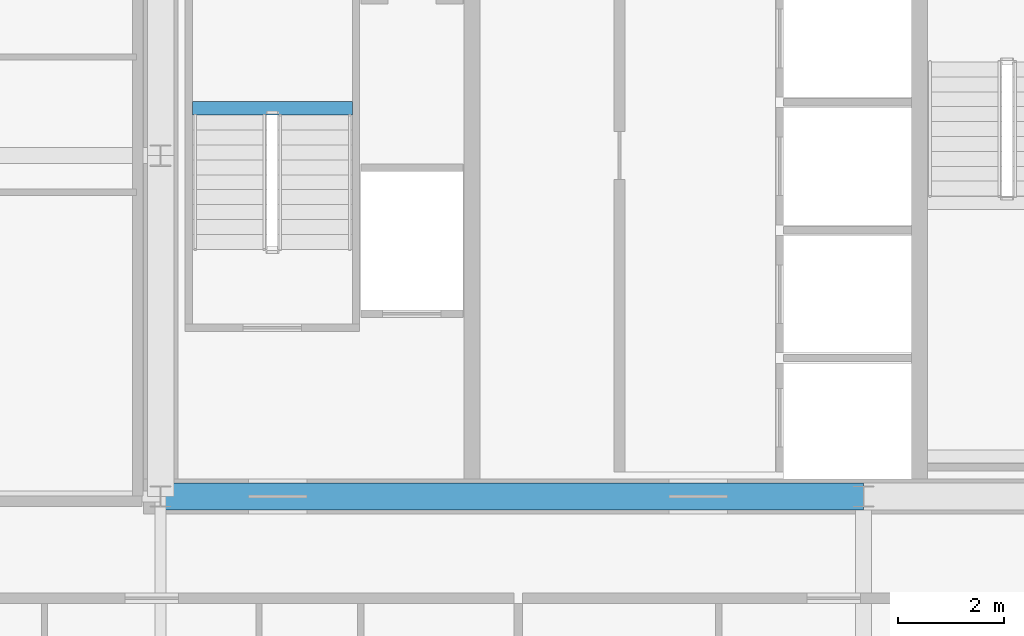
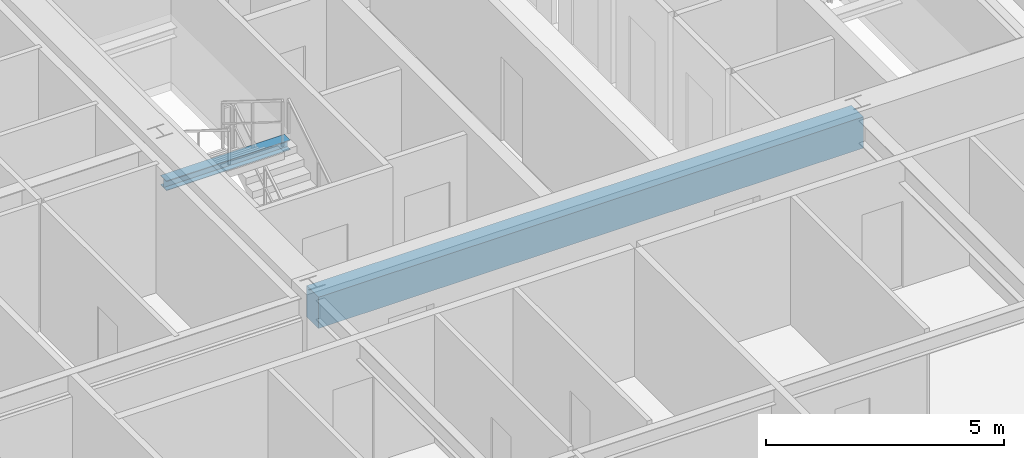
# One storey, part 13 of 38: 2 beams.
"""IFC4 building model written with IfcOpenShell, lengths in metres."""

from ifc_helpers import new_model, si_unit, direction, frame, origin, origin_2d, place, context, subcontext, project, spatial, rectangle, i_section, extrude, source, transform, mapped, material, material_profile, profile_set, type_object, element, save


model = new_model("IFC4")

# Units and contexts
model_context = context("Model", 3, precision=1e-05, world=origin(), true_north=direction((0.0, 1.0)))
body_context = subcontext(model_context, "Body", "Model", "MODEL_VIEW")
ifc_project = project(units=[si_unit("LENGTHUNIT", "METRE"), si_unit("AREAUNIT", "SQUARE_METRE"), si_unit("VOLUMEUNIT", "CUBIC_METRE"), si_unit("PLANEANGLEUNIT", "RADIAN"), si_unit("MASSUNIT", "GRAM", prefix="KILO"), si_unit("THERMODYNAMICTEMPERATUREUNIT", "KELVIN"), si_unit("POWERUNIT", "WATT")], contexts=[model_context])

# Site, building, storey
site_placement = place(None, origin())
site = spatial("IfcSite", under=ifc_project, at=site_placement, CompositionType="ELEMENT")
building_placement = place(site_placement, origin())
building = spatial("IfcBuilding", under=site, at=building_placement, Name="Yuzanri Waterfront Tower", CompositionType="ELEMENT")
storey_placement = place(building_placement, frame((0.0, 0.0, 209.0)))
storey = spatial("IfcBuildingStorey", under=building, at=storey_placement, Name="L55", CompositionType="ELEMENT", Elevation=209.0)

# Beams
ifc_material_1 = material(Name="Concrete C50", Category="concrete")
ifc_material_profile_1 = material_profile(ifc_material_1, rectangle(XDim=0.5, YDim=0.800048828125, at=origin_2d()), Name="RC 500x800")
ifc_profile_set_1 = profile_set([ifc_material_profile_1], Name="Concrete C50")
beam_type_1 = type_object("IfcBeamType", Name="Core Coupling Lintel Concrete C50 500x800", PredefinedType="LINTEL", material=ifc_profile_set_1)
shared_shape_1 = source(origin(), body_context, "Body", "SweptSolid", [
    extrude(rectangle(XDim=0.5, YDim=0.800048828125, at=origin_2d()), origin(), (0.0, 0.0, 1.0), 13.199951171875),
])
beam_1_placement = place(storey_placement, frame((23.800048828125, 19.39990234375, 2.8798828125), z_axis=(1.0, 0.0, 0.0), x_axis=(0.0, 1.0, 0.0)))
element("IfcBeam", 1, at=beam_1_placement, inside=storey, type_object=beam_type_1, Name="L55 Core Tie Beam CS1", PredefinedType="LINTEL", context=body_context, shape_type="MappedRepresentation", body=[
    mapped(shared_shape_1, transform((0.0, 0.0, 0.0), scale=1.0)),
])
ifc_material_2 = material(Name="Steel Q355B", Category="steel")
ifc_material_profile_2 = material_profile(ifc_material_2, i_section(OverallWidth=0.25, OverallDepth=0.25, WebThickness=0.009033203125, FlangeThickness=0.013916015625, at=origin_2d()), Name="HW 250x250x9x14")
ifc_profile_set_2 = profile_set([ifc_material_profile_2], Name="Steel Q355B")
beam_type_2 = type_object("IfcBeamType", Name="Stair Landing Support Beam Q355B HW 250x250", PredefinedType="BEAM", material=ifc_profile_set_2)
shared_shape_2 = source(origin(), body_context, "Body", "SweptSolid", [
    extrude(i_section(OverallWidth=0.25, OverallDepth=0.25, WebThickness=0.009033203125, FlangeThickness=0.013916015625, at=origin_2d()), origin(), (0.0, 0.0, 1.0), 3.0),
])
beam_2_placement = place(storey_placement, frame((24.39990234375, 26.68994140625, 1.425048828125), z_axis=(1.0, 0.0, 0.0), x_axis=(0.0, 1.0, 0.0)))
element("IfcBeam", 2, at=beam_2_placement, inside=storey, type_object=beam_type_2, Name="L55 Stair Landing Support Beam ST-01-L55-L1-1", PredefinedType="BEAM", context=body_context, shape_type="MappedRepresentation", body=[
    mapped(shared_shape_2, transform((0.0, 0.0, 0.0), scale=1.0)),
])

save(model, "model.ifc")
